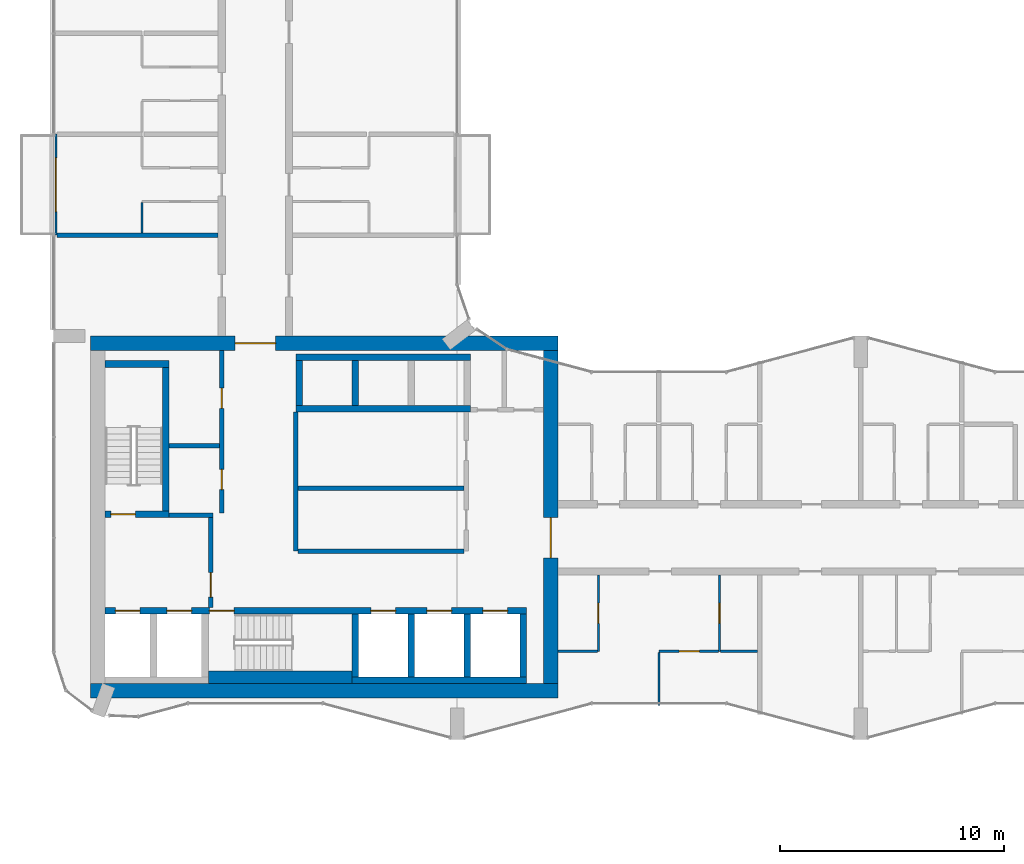
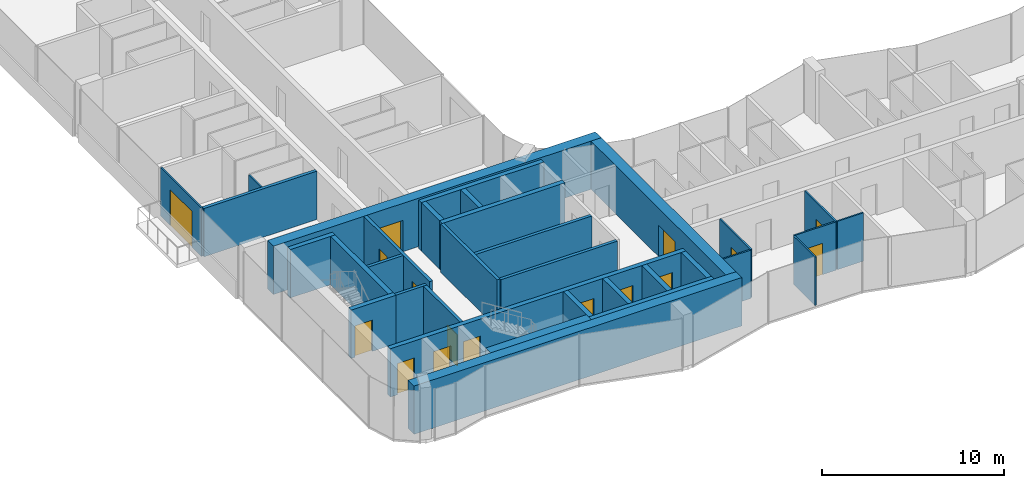
# One storey, part 13 of 22: 33 walls, 16 doors, 16 openings.
"""IFC4 building model written with IfcOpenShell, lengths in metres."""

from ifc_helpers import new_model, si_unit, direction, frame, frame_2d, origin, place, context, subcontext, project, spatial, rectangle, extrude, material, layer, layer_set, type_object, element, fill, save


model = new_model("IFC4")

# Units and contexts
model_context = context("Model", 3, precision=1e-05, world=origin(), true_north=direction((0.0, 1.0)))
body_context = subcontext(model_context, "Body", "Model", "MODEL_VIEW")
ifc_project = project(units=[si_unit("LENGTHUNIT", "METRE"), si_unit("AREAUNIT", "SQUARE_METRE"), si_unit("VOLUMEUNIT", "CUBIC_METRE"), si_unit("PLANEANGLEUNIT", "RADIAN"), si_unit("MASSUNIT", "GRAM", prefix="KILO")], contexts=[model_context])

# Site, building, storey
site_placement = place(None, origin())
site = spatial("IfcSite", under=ifc_project, at=site_placement, CompositionType="ELEMENT")
building_placement = place(site_placement, origin())
building = spatial("IfcBuilding", under=site, at=building_placement, Name="Plateau Cross Towers", CompositionType="ELEMENT")
storey_placement = place(building_placement, frame((0.0, 0.0, 99.300048828125)))
storey = spatial("IfcBuildingStorey", under=building, at=storey_placement, Name="L25", CompositionType="ELEMENT", Elevation=99.300048828125)

# Wall, opening, door
ifc_material_1 = material(Name="Aluminium framed glazing", Category="aluminium")
ifc_layer_1 = layer(ifc_material_1, 0.10009765625)
ifc_layer_set_1 = layer_set([ifc_layer_1], Name="Aluminium framed glazing")
wall_type_1 = type_object("IfcWallType", Name="Balcony screen wall 100", PredefinedType="STANDARD", material=ifc_layer_set_1)
wall_1_placement = place(storey_placement, frame((0.10009765625, 22.5, 0.0), z_axis=(0.0, 0.0, 1.0), x_axis=(0.0, 1.0, 0.0)))
wall_1 = element("IfcWall", 1, at=wall_1_placement, inside=storey, type_object=wall_type_1, Name="Balcony screen wall A-BAL-L25-01", PredefinedType="STANDARD", context=body_context, shape_type="SweptSolid", body=[
    extrude(rectangle(XDim=4.5, YDim=0.10009765625, at=frame_2d((2.25, 0.0))), origin(), (0.0, 0.0, 1.0), 3.25),
])
opening_1_placement = place(wall_1_placement, frame((1.050048828125, 0.0, 0.0)))
opening_1 = element("IfcOpeningElement", 2, at=opening_1_placement, cuts=wall_1, Name="Opening D-B24", PredefinedType="OPENING", context=body_context, shape_type="SweptSolid", body=[
    extrude(rectangle(XDim=2.39990234375, YDim=2.39990234375, at=frame_2d((1.199951171875, 1.199951171875))), frame((0.0, 0.06005859375, 0.0), z_axis=(0.0, -1.0, 0.0), x_axis=(1.0, 0.0, 0.0)), (0.0, 0.0, 1.0), 0.1201171875),
])
ifc_material_2 = material(Name="Aluminium frame, double glazing", Category="aluminium")
door_type_1 = type_object("IfcDoorType", Name="Balcony sliding door 2400", OperationType="NOTDEFINED", PredefinedType="DOOR", material=ifc_material_2)
door_1_placement = place(opening_1_placement, origin())
door_1 = element("IfcDoor", 3, at=door_1_placement, inside=storey, type_object=door_type_1, Name="Balcony door A-BAL-L25-01", OperationType="SINGLE_SWING_LEFT", OverallHeight=2.39990234375, OverallWidth=2.39990234375, PredefinedType="DOOR", context=body_context, shape_type="SweptSolid", body=[
    extrude(rectangle(XDim=2.39990234375, YDim=2.39990234375, at=frame_2d((1.199951171875, 1.199951171875))), frame((0.0, 0.02490234375, 0.0), z_axis=(0.0, -1.0, 0.0), x_axis=(1.0, 0.0, 0.0)), (0.0, 0.0, 1.0), 0.050048828125),
])
fill(opening_1, door_1)

ifc_material_3 = material(Name="Concrete block, plastered both sides", Category="concrete")
ifc_layer_2 = layer(ifc_material_3, 0.199951171875)
ifc_layer_set_2 = layer_set([ifc_layer_2], Name="Concrete block, plastered both sides")
wall_type_2 = type_object("IfcWallType", Name="Core partition 200", PredefinedType="PARTITIONING", material=ifc_layer_set_2)
wall_2_placement = place(storey_placement, frame((7.0, 5.89990234375, 0.0), z_axis=(0.0, 0.0, 1.0), x_axis=(0.0, 1.0, 0.0)))
wall_2 = element("IfcWall", 4, at=wall_2_placement, inside=storey, type_object=wall_type_2, Name="Core partition", PredefinedType="PARTITIONING", context=body_context, shape_type="SweptSolid", body=[
    extrude(rectangle(XDim=4.0, YDim=0.199951171875, at=frame_2d((2.0, 0.0))), origin(), (0.0, 0.0, 1.0), 3.25),
])
opening_2_placement = place(wall_2_placement, frame((0.449951171875, 0.0, 0.0)))
opening_2 = element("IfcOpeningElement", 5, at=opening_2_placement, cuts=wall_2, Name="Opening FFD", PredefinedType="OPENING", context=body_context, shape_type="SweptSolid", body=[
    extrude(rectangle(XDim=1.10009765625, YDim=2.10009765625, at=frame_2d((0.550048828125, 1.050048828125))), frame((0.0, 0.10986328125, 0.0), z_axis=(0.0, -1.0, 0.0), x_axis=(1.0, 0.0, 0.0)), (0.0, 0.0, 1.0), 0.219970703125),
])
ifc_material_4 = material(Name="Steel, fire-resisting leaf", Category="steel")
door_type_2 = type_object("IfcDoorType", Name="Firefighting lobby door 1100", OperationType="NOTDEFINED", PredefinedType="DOOR", material=ifc_material_4)
door_2_placement = place(opening_2_placement, origin())
door_2 = element("IfcDoor", 6, at=door_2_placement, inside=storey, type_object=door_type_2, Name="Firefighting lobby door FFD", OperationType="SINGLE_SWING_LEFT", OverallHeight=2.10009765625, OverallWidth=1.10009765625, PredefinedType="DOOR", context=body_context, shape_type="SweptSolid", body=[
    extrude(rectangle(XDim=1.10009765625, YDim=2.10009765625, at=frame_2d((0.550048828125, 1.050048828125))), frame((0.0, 0.02490234375, 0.0), z_axis=(0.0, -1.0, 0.0), x_axis=(1.0, 0.0, 0.0)), (0.0, 0.0, 1.0), 0.050048828125),
])
fill(opening_2, door_2)

# Walls
wall_3_placement = place(storey_placement, frame((5.14990234375, 10.0, 0.0), z_axis=(0.0, 0.0, 1.0), x_axis=(1.0, 0.0, 0.0)))
element("IfcWall", 7, at=wall_3_placement, inside=storey, type_object=wall_type_2, Name="Core partition", PredefinedType="PARTITIONING", context=body_context, shape_type="SweptSolid", body=[
    extrude(rectangle(XDim=1.9501953125, YDim=0.199951171875, at=frame_2d((0.97509765625, 0.0))), origin(), (0.0, 0.0, 1.0), 3.25),
])
wall_4_placement = place(storey_placement, frame((10.800048828125, 8.39990234375, 0.0), z_axis=(0.0, 0.0, 1.0), x_axis=(0.0, 1.0, 0.0)))
element("IfcWall", 8, at=wall_4_placement, inside=storey, type_object=wall_type_2, Name="Core partition", PredefinedType="PARTITIONING", context=body_context, shape_type="SweptSolid", body=[
    extrude(rectangle(XDim=6.2001953125, YDim=0.199951171875, at=frame_2d((3.10009765625, 0.0))), origin(), (0.0, 0.0, 1.0), 3.25),
])
for number, where, z_axis, x_axis, name in (
    (9, (10.89990234375, 8.39990234375, 0.0), (0.0, 0.0, 1.0), (1.0, 0.0, 0.0), "Core partition"),
    (10, (10.89990234375, 11.199951171875, 0.0), (0.0, 0.0, 1.0), (1.0, 0.0, 0.0), "Core partition"),
):
    element("IfcWall", number, at=place(storey_placement, frame(where, z_axis=z_axis, x_axis=x_axis)), inside=storey, type_object=wall_type_2, Name=name, PredefinedType="PARTITIONING", context=body_context, shape_type="SweptSolid", body=[
        extrude(rectangle(XDim=7.400146484375, YDim=0.199951171875, at=frame_2d((3.7001953125, 0.0))), origin(), (0.0, 0.0, 1.0), 3.25),
    ])

# Wall, openings, doors
wall_5_placement = place(storey_placement, frame((7.5, 10.10009765625, 0.0), z_axis=(0.0, 0.0, 1.0), x_axis=(0.0, 1.0, 0.0)))
wall_5 = element("IfcWall", 11, at=wall_5_placement, inside=storey, type_object=wall_type_2, Name="Core partition", PredefinedType="PARTITIONING", context=body_context, shape_type="SweptSolid", body=[
    extrude(rectangle(XDim=7.25, YDim=0.199951171875, at=frame_2d((3.625, 0.0))), origin(), (0.0, 0.0, 1.0), 3.25),
])
opening_3_placement = place(wall_5_placement, frame((1.050048828125, 0.0, 0.0)))
opening_3 = element("IfcOpeningElement", 12, at=opening_3_placement, cuts=wall_5, Name="Opening RD1", PredefinedType="OPENING", context=body_context, shape_type="SweptSolid", body=[
    extrude(rectangle(XDim=0.89990234375, YDim=2.10009765625, at=frame_2d((0.449951171875, 1.050048828125))), frame((0.0, 0.10986328125, 0.0), z_axis=(0.0, -1.0, 0.0), x_axis=(1.0, 0.0, 0.0)), (0.0, 0.0, 1.0), 0.219970703125),
])
opening_4_placement = place(wall_5_placement, frame((4.675048828125, 0.0, 0.0)))
opening_4 = element("IfcOpeningElement", 13, at=opening_4_placement, cuts=wall_5, Name="Opening RD1", PredefinedType="OPENING", context=body_context, shape_type="SweptSolid", body=[
    extrude(rectangle(XDim=0.89990234375, YDim=2.10009765625, at=frame_2d((0.449951171875, 1.050048828125))), frame((0.0, 0.10986328125, 0.0), z_axis=(0.0, -1.0, 0.0), x_axis=(1.0, 0.0, 0.0)), (0.0, 0.0, 1.0), 0.219970703125),
])
ifc_material_5 = material(Name="Timber, fire-resisting leaf", Category="wood")
door_type_3 = type_object("IfcDoorType", Name="Core service door 900", OperationType="NOTDEFINED", PredefinedType="DOOR", material=ifc_material_5)
door_3_placement = place(opening_3_placement, origin())
door_3 = element("IfcDoor", 14, at=door_3_placement, inside=storey, type_object=door_type_3, Name="Core service door RD1", OperationType="SINGLE_SWING_RIGHT", OverallHeight=2.10009765625, OverallWidth=0.89990234375, PredefinedType="DOOR", context=body_context, shape_type="SweptSolid", body=[
    extrude(rectangle(XDim=0.89990234375, YDim=2.10009765625, at=frame_2d((0.449951171875, 1.050048828125))), frame((0.0, 0.02490234375, 0.0), z_axis=(0.0, -1.0, 0.0), x_axis=(1.0, 0.0, 0.0)), (0.0, 0.0, 1.0), 0.050048828125),
])
fill(opening_3, door_3)
door_4_placement = place(opening_4_placement, origin())
door_4 = element("IfcDoor", 15, at=door_4_placement, inside=storey, type_object=door_type_3, Name="Core service door RD1", OperationType="SINGLE_SWING_RIGHT", OverallHeight=2.10009765625, OverallWidth=0.89990234375, PredefinedType="DOOR", context=body_context, shape_type="SweptSolid", body=[
    extrude(rectangle(XDim=0.89990234375, YDim=2.10009765625, at=frame_2d((0.449951171875, 1.050048828125))), frame((0.0, 0.02490234375, 0.0), z_axis=(0.0, -1.0, 0.0), x_axis=(1.0, 0.0, 0.0)), (0.0, 0.0, 1.0), 0.050048828125),
])
fill(opening_4, door_4)

# Walls
wall_6_placement = place(storey_placement, frame((5.14990234375, 13.10009765625, 0.0), z_axis=(0.0, 0.0, 1.0), x_axis=(1.0, 0.0, 0.0)))
element("IfcWall", 16, at=wall_6_placement, inside=storey, type_object=wall_type_2, Name="Core partition", PredefinedType="PARTITIONING", context=body_context, shape_type="SweptSolid", body=[
    extrude(rectangle(XDim=2.25, YDim=0.199951171875, at=frame_2d((1.125, 0.0))), origin(), (0.0, 0.0, 1.0), 3.25),
])
ifc_material_6 = material(Name="Concrete C60/75", Category="concrete")
ifc_layer_3 = layer(ifc_material_6, 0.300048828125)
ifc_layer_set_3 = layer_set([ifc_layer_3], Name="Concrete C60/75")
wall_type_3 = type_object("IfcWallType", Name="Core shaft wall 300", PredefinedType="SHEAR", material=ifc_layer_set_3)
wall_7_placement = place(storey_placement, frame((13.300048828125, 2.64990234375, 0.0), z_axis=(0.0, 0.0, 1.0), x_axis=(1.0, 0.0, 0.0)))
element("IfcWall", 17, at=wall_7_placement, inside=storey, type_object=wall_type_3, Name="A-sb-back3@L25", PredefinedType="SHEAR", context=body_context, shape_type="SweptSolid", body=[
    extrude(rectangle(XDim=7.800048828125, YDim=0.300048828125, at=frame_2d((3.89990234375, 0.0))), origin(), (0.0, 0.0, 1.0), 3.25),
])
for number, where, z_axis, x_axis, name in (
    (18, (13.449951171875, 2.800048828125, 0.0), (0.0, 0.0, 1.0), (0.0, 1.0, 0.0), "A-sb-v3@L25"),
    (19, (15.949951171875, 2.800048828125, 0.0), (0.0, 0.0, 1.0), (0.0, 1.0, 0.0), "A-sb-v4@L25"),
    (20, (18.449951171875, 2.800048828125, 0.0), (0.0, 0.0, 1.0), (0.0, 1.0, 0.0), "A-sb-v5@L25"),
    (21, (20.949951171875, 2.800048828125, 0.0), (0.0, 0.0, 1.0), (0.0, 1.0, 0.0), "A-sb-v6@L25"),
):
    element("IfcWall", number, at=place(storey_placement, frame(where, z_axis=z_axis, x_axis=x_axis)), inside=storey, type_object=wall_type_3, Name=name, PredefinedType="SHEAR", context=body_context, shape_type="SweptSolid", body=[
        extrude(rectangle(XDim=2.800048828125, YDim=0.300048828125, at=frame_2d((1.39990234375, 0.0))), origin(), (0.0, 0.0, 1.0), 3.25),
    ])

# Wall, openings, doors
wall_8_placement = place(storey_placement, frame((2.300048828125, 5.75, 0.0), z_axis=(0.0, 0.0, 1.0), x_axis=(1.0, 0.0, 0.0)))
wall_8 = element("IfcWall", 22, at=wall_8_placement, inside=storey, type_object=wall_type_3, Name="A-sb-front@L25", PredefinedType="SHEAR", context=body_context, shape_type="SweptSolid", body=[
    extrude(rectangle(XDim=18.800048828125, YDim=0.300048828125, at=frame_2d((9.39990234375, 0.0))), origin(), (0.0, 0.0, 1.0), 3.25),
])
opening_5_placement = place(wall_8_placement, frame((4.64990234375, 0.0, 0.0)))
opening_5 = element("IfcOpeningElement", 23, at=opening_5_placement, cuts=wall_8, Name="Opening SD", PredefinedType="OPENING", context=body_context, shape_type="SweptSolid", body=[
    extrude(rectangle(XDim=1.10009765625, YDim=2.10009765625, at=frame_2d((0.550048828125, 1.050048828125))), frame((0.0, 0.159912109375, 0.0), z_axis=(0.0, -1.0, 0.0), x_axis=(1.0, 0.0, 0.0)), (0.0, 0.0, 1.0), 0.320068359375),
])
opening_6_placement = place(wall_8_placement, frame((0.449951171875, 0.0, 0.0)))
opening_6 = element("IfcOpeningElement", 24, at=opening_6_placement, cuts=wall_8, Name="Opening LD", PredefinedType="OPENING", context=body_context, shape_type="SweptSolid", body=[
    extrude(rectangle(XDim=1.10009765625, YDim=2.10009765625, at=frame_2d((0.550048828125, 1.050048828125))), frame((0.0, 0.159912109375, 0.0), z_axis=(0.0, -1.0, 0.0), x_axis=(1.0, 0.0, 0.0)), (0.0, 0.0, 1.0), 0.320068359375),
])
opening_7_placement = place(wall_8_placement, frame((2.75, 0.0, 0.0)))
opening_7 = element("IfcOpeningElement", 25, at=opening_7_placement, cuts=wall_8, Name="Opening LD", PredefinedType="OPENING", context=body_context, shape_type="SweptSolid", body=[
    extrude(rectangle(XDim=1.10009765625, YDim=2.10009765625, at=frame_2d((0.550048828125, 1.050048828125))), frame((0.0, 0.159912109375, 0.0), z_axis=(0.0, -1.0, 0.0), x_axis=(1.0, 0.0, 0.0)), (0.0, 0.0, 1.0), 0.320068359375),
])
opening_8_placement = place(wall_8_placement, frame((11.85009765625, 0.0, 0.0)))
opening_8 = element("IfcOpeningElement", 26, at=opening_8_placement, cuts=wall_8, Name="Opening LD", PredefinedType="OPENING", context=body_context, shape_type="SweptSolid", body=[
    extrude(rectangle(XDim=1.10009765625, YDim=2.10009765625, at=frame_2d((0.550048828125, 1.050048828125))), frame((0.0, 0.159912109375, 0.0), z_axis=(0.0, -1.0, 0.0), x_axis=(1.0, 0.0, 0.0)), (0.0, 0.0, 1.0), 0.320068359375),
])
opening_9_placement = place(wall_8_placement, frame((14.35009765625, 0.0, 0.0)))
opening_9 = element("IfcOpeningElement", 27, at=opening_9_placement, cuts=wall_8, Name="Opening LD", PredefinedType="OPENING", context=body_context, shape_type="SweptSolid", body=[
    extrude(rectangle(XDim=1.10009765625, YDim=2.10009765625, at=frame_2d((0.550048828125, 1.050048828125))), frame((0.0, 0.159912109375, 0.0), z_axis=(0.0, -1.0, 0.0), x_axis=(1.0, 0.0, 0.0)), (0.0, 0.0, 1.0), 0.320068359375),
])
opening_10_placement = place(wall_8_placement, frame((16.85009765625, 0.0, 0.0)))
opening_10 = element("IfcOpeningElement", 28, at=opening_10_placement, cuts=wall_8, Name="Opening LD", PredefinedType="OPENING", context=body_context, shape_type="SweptSolid", body=[
    extrude(rectangle(XDim=1.10009765625, YDim=2.10009765625, at=frame_2d((0.550048828125, 1.050048828125))), frame((0.0, 0.159912109375, 0.0), z_axis=(0.0, -1.0, 0.0), x_axis=(1.0, 0.0, 0.0)), (0.0, 0.0, 1.0), 0.320068359375),
])
ifc_material_7 = material(Name="Stainless steel, fire-resisting sliding leaves", Category="steel")
door_type_4 = type_object("IfcDoorType", Name="Lift landing door 1100", OperationType="NOTDEFINED", PredefinedType="DOOR", material=ifc_material_7)
door_5_placement = place(opening_6_placement, origin())
door_5 = element("IfcDoor", 29, at=door_5_placement, inside=storey, type_object=door_type_4, Name="Lift landing door LD", OperationType="DOUBLE_DOOR_SLIDING", OverallHeight=2.10009765625, OverallWidth=1.10009765625, PredefinedType="DOOR", context=body_context, shape_type="SweptSolid", body=[
    extrude(rectangle(XDim=1.10009765625, YDim=2.10009765625, at=frame_2d((0.550048828125, 1.050048828125))), frame((0.0, 0.02490234375, 0.0), z_axis=(0.0, -1.0, 0.0), x_axis=(1.0, 0.0, 0.0)), (0.0, 0.0, 1.0), 0.050048828125),
])
fill(opening_6, door_5)
door_6_placement = place(opening_7_placement, origin())
door_6 = element("IfcDoor", 30, at=door_6_placement, inside=storey, type_object=door_type_4, Name="Lift landing door LD", OperationType="DOUBLE_DOOR_SLIDING", OverallHeight=2.10009765625, OverallWidth=1.10009765625, PredefinedType="DOOR", context=body_context, shape_type="SweptSolid", body=[
    extrude(rectangle(XDim=1.10009765625, YDim=2.10009765625, at=frame_2d((0.550048828125, 1.050048828125))), frame((0.0, 0.02490234375, 0.0), z_axis=(0.0, -1.0, 0.0), x_axis=(1.0, 0.0, 0.0)), (0.0, 0.0, 1.0), 0.050048828125),
])
fill(opening_7, door_6)
door_7_placement = place(opening_8_placement, origin())
door_7 = element("IfcDoor", 31, at=door_7_placement, inside=storey, type_object=door_type_4, Name="Lift landing door LD", OperationType="DOUBLE_DOOR_SLIDING", OverallHeight=2.10009765625, OverallWidth=1.10009765625, PredefinedType="DOOR", context=body_context, shape_type="SweptSolid", body=[
    extrude(rectangle(XDim=1.10009765625, YDim=2.10009765625, at=frame_2d((0.550048828125, 1.050048828125))), frame((0.0, 0.02490234375, 0.0), z_axis=(0.0, -1.0, 0.0), x_axis=(1.0, 0.0, 0.0)), (0.0, 0.0, 1.0), 0.050048828125),
])
fill(opening_8, door_7)
door_8_placement = place(opening_9_placement, origin())
door_8 = element("IfcDoor", 32, at=door_8_placement, inside=storey, type_object=door_type_4, Name="Lift landing door LD", OperationType="DOUBLE_DOOR_SLIDING", OverallHeight=2.10009765625, OverallWidth=1.10009765625, PredefinedType="DOOR", context=body_context, shape_type="SweptSolid", body=[
    extrude(rectangle(XDim=1.10009765625, YDim=2.10009765625, at=frame_2d((0.550048828125, 1.050048828125))), frame((0.0, 0.02490234375, 0.0), z_axis=(0.0, -1.0, 0.0), x_axis=(1.0, 0.0, 0.0)), (0.0, 0.0, 1.0), 0.050048828125),
])
fill(opening_9, door_8)
door_9_placement = place(opening_10_placement, origin())
door_9 = element("IfcDoor", 33, at=door_9_placement, inside=storey, type_object=door_type_4, Name="Lift landing door LD", OperationType="DOUBLE_DOOR_SLIDING", OverallHeight=2.10009765625, OverallWidth=1.10009765625, PredefinedType="DOOR", context=body_context, shape_type="SweptSolid", body=[
    extrude(rectangle(XDim=1.10009765625, YDim=2.10009765625, at=frame_2d((0.550048828125, 1.050048828125))), frame((0.0, 0.02490234375, 0.0), z_axis=(0.0, -1.0, 0.0), x_axis=(1.0, 0.0, 0.0)), (0.0, 0.0, 1.0), 0.050048828125),
])
fill(opening_10, door_9)
door_type_5 = type_object("IfcDoorType", Name="Stair door 1100", OperationType="NOTDEFINED", PredefinedType="DOOR", material=ifc_material_4)
door_10_placement = place(opening_5_placement, origin())
door_10 = element("IfcDoor", 34, at=door_10_placement, inside=storey, type_object=door_type_5, Name="Stair door SD", OperationType="SINGLE_SWING_LEFT", OverallHeight=2.10009765625, OverallWidth=1.10009765625, PredefinedType="DOOR", context=body_context, shape_type="SweptSolid", body=[
    extrude(rectangle(XDim=1.10009765625, YDim=2.10009765625, at=frame_2d((0.550048828125, 1.050048828125))), frame((0.0, 0.02490234375, 0.0), z_axis=(0.0, -1.0, 0.0), x_axis=(1.0, 0.0, 0.0)), (0.0, 0.0, 1.0), 0.050048828125),
])
fill(opening_5, door_10)

# Wall, opening, door
wall_9_placement = place(storey_placement, frame((2.300048828125, 10.050048828125, 0.0), z_axis=(0.0, 0.0, 1.0), x_axis=(1.0, 0.0, 0.0)))
wall_9 = element("IfcWall", 35, at=wall_9_placement, inside=storey, type_object=wall_type_3, Name="A-st1-S@L25", PredefinedType="SHEAR", context=body_context, shape_type="SweptSolid", body=[
    extrude(rectangle(XDim=2.849853515625, YDim=0.300048828125, at=frame_2d((1.4248046875, 0.0))), origin(), (0.0, 0.0, 1.0), 3.25),
])
opening_11_placement = place(wall_9_placement, frame((0.25, 0.0, 0.0)))
opening_11 = element("IfcOpeningElement", 36, at=opening_11_placement, cuts=wall_9, Name="Opening SD", PredefinedType="OPENING", context=body_context, shape_type="SweptSolid", body=[
    extrude(rectangle(XDim=1.10009765625, YDim=2.10009765625, at=frame_2d((0.550048828125, 1.050048828125))), frame((0.0, 0.159912109375, 0.0), z_axis=(0.0, -1.0, 0.0), x_axis=(1.0, 0.0, 0.0)), (0.0, 0.0, 1.0), 0.320068359375),
])
door_11_placement = place(opening_11_placement, origin())
door_11 = element("IfcDoor", 37, at=door_11_placement, inside=storey, type_object=door_type_5, Name="Stair door SD", OperationType="SINGLE_SWING_RIGHT", OverallHeight=2.10009765625, OverallWidth=1.10009765625, PredefinedType="DOOR", context=body_context, shape_type="SweptSolid", body=[
    extrude(rectangle(XDim=1.10009765625, YDim=2.10009765625, at=frame_2d((0.550048828125, 1.050048828125))), frame((0.0, 0.02490234375, 0.0), z_axis=(0.0, -1.0, 0.0), x_axis=(1.0, 0.0, 0.0)), (0.0, 0.0, 1.0), 0.050048828125),
])
fill(opening_11, door_11)

# Walls
wall_10_placement = place(storey_placement, frame((5.0, 10.199951171875, 0.0), z_axis=(0.0, 0.0, 1.0), x_axis=(0.0, 1.0, 0.0)))
element("IfcWall", 38, at=wall_10_placement, inside=storey, type_object=wall_type_3, Name="A-st1-E@L25", PredefinedType="SHEAR", context=body_context, shape_type="SweptSolid", body=[
    extrude(rectangle(XDim=6.400146484375, YDim=0.300048828125, at=frame_2d((3.2001953125, 0.0))), origin(), (0.0, 0.0, 1.0), 3.25),
])
wall_11_placement = place(storey_placement, frame((2.300048828125, 16.75, 0.0), z_axis=(0.0, 0.0, 1.0), x_axis=(1.0, 0.0, 0.0)))
element("IfcWall", 39, at=wall_11_placement, inside=storey, type_object=wall_type_3, Name="A-st1-N@L25", PredefinedType="SHEAR", context=body_context, shape_type="SweptSolid", body=[
    extrude(rectangle(XDim=2.849853515625, YDim=0.300048828125, at=frame_2d((1.4248046875, 0.0))), origin(), (0.0, 0.0, 1.0), 3.25),
])
for number, where, z_axis, x_axis, name in (
    (40, (10.800048828125, 17.050048828125, 0.0), (0.0, 0.0, 1.0), (1.0, 0.0, 0.0), "A-nb-back@L25"),
    (41, (10.800048828125, 14.75, 0.0), (0.0, 0.0, 1.0), (1.0, 0.0, 0.0), "A-nb-front@L25"),
):
    element("IfcWall", number, at=place(storey_placement, frame(where, z_axis=z_axis, x_axis=x_axis)), inside=storey, type_object=wall_type_3, Name=name, PredefinedType="SHEAR", context=body_context, shape_type="SweptSolid", body=[
        extrude(rectangle(XDim=7.800048828125, YDim=0.300048828125, at=frame_2d((3.89990234375, 0.0))), origin(), (0.0, 0.0, 1.0), 3.25),
    ])
for number, where, z_axis, x_axis, name in (
    (42, (10.949951171875, 14.89990234375, 0.0), (0.0, 0.0, 1.0), (0.0, 1.0, 0.0), "A-nb-v1@L25"),
    (43, (13.449951171875, 14.89990234375, 0.0), (0.0, 0.0, 1.0), (0.0, 1.0, 0.0), "A-nb-v2@L25"),
):
    element("IfcWall", number, at=place(storey_placement, frame(where, z_axis=z_axis, x_axis=x_axis)), inside=storey, type_object=wall_type_3, Name=name, PredefinedType="SHEAR", context=body_context, shape_type="SweptSolid", body=[
        extrude(rectangle(XDim=2.0, YDim=0.300048828125, at=frame_2d((1.0, 0.0))), origin(), (0.0, 0.0, 1.0), 3.25),
    ])
ifc_layer_4 = layer(ifc_material_6, 0.550048828125)
ifc_layer_set_4 = layer_set([ifc_layer_4], Name="Concrete C60/75")
wall_type_4 = type_object("IfcWallType", Name="Core shaft wall 550", PredefinedType="SHEAR", material=ifc_layer_set_4)
wall_12_placement = place(storey_placement, frame((6.89990234375, 2.77490234375, 0.0), z_axis=(0.0, 0.0, 1.0), x_axis=(1.0, 0.0, 0.0)))
element("IfcWall", 44, at=wall_12_placement, inside=storey, type_object=wall_type_4, Name="A-sb-back2@L25", PredefinedType="SHEAR", context=body_context, shape_type="SweptSolid", body=[
    extrude(rectangle(XDim=6.400146484375, YDim=0.550048828125, at=frame_2d((3.2001953125, 0.0))), origin(), (0.0, 0.0, 1.0), 3.25),
])
ifc_layer_5 = layer(ifc_material_6, 0.64990234375)
ifc_layer_set_5 = layer_set([ifc_layer_5], Name="Concrete C60/75")
wall_type_5 = type_object("IfcWallType", Name="Core shell wall 650", PredefinedType="SHEAR", material=ifc_layer_set_5)
wall_13_placement = place(storey_placement, frame((1.64990234375, 2.175048828125, 0.0), z_axis=(0.0, 0.0, 1.0), x_axis=(1.0, 0.0, 0.0)))
element("IfcWall", 45, at=wall_13_placement, inside=storey, type_object=wall_type_5, Name="A-core-S@L25", PredefinedType="SHEAR", context=body_context, shape_type="SweptSolid", body=[
    extrude(rectangle(XDim=20.85009765625, YDim=0.64990234375, at=frame_2d((10.425048828125, 0.0))), origin(), (0.0, 0.0, 1.0), 3.25),
])

# Wall, opening, door
wall_14_placement = place(storey_placement, frame((1.64990234375, 17.675048828125, 0.0), z_axis=(0.0, 0.0, 1.0), x_axis=(1.0, 0.0, 0.0)))
wall_14 = element("IfcWall", 46, at=wall_14_placement, inside=storey, type_object=wall_type_5, Name="A-core-N@L25", PredefinedType="SHEAR", context=body_context, shape_type="SweptSolid", body=[
    extrude(rectangle(XDim=20.85009765625, YDim=0.64990234375, at=frame_2d((10.425048828125, 0.0))), origin(), (0.0, 0.0, 1.0), 3.25),
])
opening_12_placement = place(wall_14_placement, frame((6.449951171875, 0.0, 0.0)))
opening_12 = element("IfcOpeningElement", 47, at=opening_12_placement, cuts=wall_14, Name="Opening CD", PredefinedType="OPENING", context=body_context, shape_type="SweptSolid", body=[
    extrude(rectangle(XDim=1.800048828125, YDim=2.10009765625, at=frame_2d((0.89990234375, 1.050048828125))), frame((0.0, 0.3349609375, 0.0), z_axis=(0.0, -1.0, 0.0), x_axis=(1.0, 0.0, 0.0)), (0.0, 0.0, 1.0), 0.669921875),
])
ifc_material_8 = material(Name="Steel, fire-resisting leaves", Category="steel")
door_type_6 = type_object("IfcDoorType", Name="Corridor door pair 1800", OperationType="NOTDEFINED", PredefinedType="DOOR", material=ifc_material_8)
door_12_placement = place(opening_12_placement, origin())
door_12 = element("IfcDoor", 48, at=door_12_placement, inside=storey, type_object=door_type_6, Name="Corridor door pair CD", OperationType="DOUBLE_DOOR_SINGLE_SWING", OverallHeight=2.10009765625, OverallWidth=1.800048828125, PredefinedType="DOOR", context=body_context, shape_type="SweptSolid", body=[
    extrude(rectangle(XDim=1.800048828125, YDim=2.10009765625, at=frame_2d((0.89990234375, 1.050048828125))), frame((0.0, 0.02490234375, 0.0), z_axis=(0.0, -1.0, 0.0), x_axis=(1.0, 0.0, 0.0)), (0.0, 0.0, 1.0), 0.050048828125),
])
fill(opening_12, door_12)

wall_15_placement = place(storey_placement, frame((22.175048828125, 2.5, 0.0), z_axis=(0.0, 0.0, 1.0), x_axis=(0.0, 1.0, 0.0)))
wall_15 = element("IfcWall", 49, at=wall_15_placement, inside=storey, type_object=wall_type_5, Name="A-core-E@L25", PredefinedType="SHEAR", context=body_context, shape_type="SweptSolid", body=[
    extrude(rectangle(XDim=14.85009765625, YDim=0.64990234375, at=frame_2d((7.425048828125, 0.0))), origin(), (0.0, 0.0, 1.0), 3.25),
])
opening_13_placement = place(wall_15_placement, frame((5.60009765625, 0.0, 0.0)))
opening_13 = element("IfcOpeningElement", 50, at=opening_13_placement, cuts=wall_15, Name="Opening CD", PredefinedType="OPENING", context=body_context, shape_type="SweptSolid", body=[
    extrude(rectangle(XDim=1.800048828125, YDim=2.10009765625, at=frame_2d((0.89990234375, 1.050048828125))), frame((0.0, 0.3349609375, 0.0), z_axis=(0.0, -1.0, 0.0), x_axis=(1.0, 0.0, 0.0)), (0.0, 0.0, 1.0), 0.669921875),
])
door_13_placement = place(opening_13_placement, origin())
door_13 = element("IfcDoor", 51, at=door_13_placement, inside=storey, type_object=door_type_6, Name="Corridor door pair CD", OperationType="DOUBLE_DOOR_SINGLE_SWING", OverallHeight=2.10009765625, OverallWidth=1.800048828125, PredefinedType="DOOR", context=body_context, shape_type="SweptSolid", body=[
    extrude(rectangle(XDim=1.800048828125, YDim=2.10009765625, at=frame_2d((0.89990234375, 1.050048828125))), frame((0.0, 0.02490234375, 0.0), z_axis=(0.0, -1.0, 0.0), x_axis=(1.0, 0.0, 0.0)), (0.0, 0.0, 1.0), 0.050048828125),
])
fill(opening_13, door_13)

ifc_material_9 = material(Name="Gypsum board on steel studs", Category="steel")
ifc_layer_6 = layer(ifc_material_9, 0.10009765625)
ifc_layer_set_6 = layer_set([ifc_layer_6], Name="Gypsum board on steel studs")
wall_type_6 = type_object("IfcWallType", Name="Flat partition 100", PredefinedType="PARTITIONING", material=ifc_layer_set_6)
wall_16_placement = place(storey_placement, frame((29.64990234375, 3.9375, 0.0), z_axis=(0.0, 0.0, 1.0), x_axis=(-1.0, 0.0, 0.0)))
wall_16 = element("IfcWall", 52, at=wall_16_placement, inside=storey, type_object=wall_type_6, Name="Partition wall", PredefinedType="PARTITIONING", context=body_context, shape_type="SweptSolid", body=[
    extrude(rectangle(XDim=2.64990234375, YDim=0.10009765625, at=frame_2d((1.324951171875, 0.0))), origin(), (0.0, 0.0, 1.0), 3.25),
])
opening_14_placement = place(wall_16_placement, frame((0.85009765625, 0.0, 0.0)))
opening_14 = element("IfcOpeningElement", 53, at=opening_14_placement, cuts=wall_16, Name="Opening 25-23", PredefinedType="OPENING", context=body_context, shape_type="SweptSolid", body=[
    extrude(rectangle(XDim=0.89990234375, YDim=2.10009765625, at=frame_2d((0.449951171875, 1.050048828125))), frame((0.0, 0.06005859375, 0.0), z_axis=(0.0, -1.0, 0.0), x_axis=(1.0, 0.0, 0.0)), (0.0, 0.0, 1.0), 0.1201171875),
])
ifc_material_10 = material(Name="Timber leaf", Category="wood")
door_type_7 = type_object("IfcDoorType", Name="Flat room door 900", OperationType="NOTDEFINED", PredefinedType="DOOR", material=ifc_material_10)
door_14_placement = place(opening_14_placement, origin())
door_14 = element("IfcDoor", 54, at=door_14_placement, inside=storey, type_object=door_type_7, Name="Door 25-23", OperationType="SINGLE_SWING_LEFT", OverallHeight=2.10009765625, OverallWidth=0.89990234375, PredefinedType="DOOR", context=body_context, shape_type="SweptSolid", body=[
    extrude(rectangle(XDim=0.89990234375, YDim=2.10009765625, at=frame_2d((0.449951171875, 1.050048828125))), frame((0.0, 0.02490234375, 0.0), z_axis=(0.0, -1.0, 0.0), x_axis=(1.0, 0.0, 0.0)), (0.0, 0.0, 1.0), 0.050048828125),
])
fill(opening_14, door_14)

# Walls
wall_17_placement = place(storey_placement, frame((22.5, 3.9375, 0.0), z_axis=(0.0, 0.0, 1.0), x_axis=(1.0, 0.0, 0.0)))
element("IfcWall", 55, at=wall_17_placement, inside=storey, type_object=wall_type_6, Name="Partition wall", PredefinedType="PARTITIONING", context=body_context, shape_type="SweptSolid", body=[
    extrude(rectangle(XDim=1.75, YDim=0.10009765625, at=frame_2d((0.875, 0.0))), origin(), (0.0, 0.0, 1.0), 3.25),
])
wall_18_placement = place(storey_placement, frame((29.75, 3.9375, 0.0), z_axis=(0.0, 0.0, 1.0), x_axis=(1.0, 0.0, 0.0)))
element("IfcWall", 56, at=wall_18_placement, inside=storey, type_object=wall_type_6, Name="Partition wall", PredefinedType="PARTITIONING", context=body_context, shape_type="SweptSolid", body=[
    extrude(rectangle(XDim=1.64990234375, YDim=0.10009765625, at=frame_2d((0.824951171875, 0.0))), origin(), (0.0, 0.0, 1.0), 3.25),
])
wall_19_placement = place(storey_placement, frame((3.9375, 23.949951171875, 0.0), z_axis=(0.0, 0.0, 1.0), x_axis=(0.0, -1.0, 0.0)))
element("IfcWall", 57, at=wall_19_placement, inside=storey, type_object=wall_type_6, Name="Partition wall", PredefinedType="PARTITIONING", context=body_context, shape_type="SweptSolid", body=[
    extrude(rectangle(XDim=1.349853515625, YDim=0.10009765625, at=frame_2d((0.6748046875, 0.0))), origin(), (0.0, 0.0, 1.0), 3.25),
])

# Wall, opening, door
wall_20_placement = place(storey_placement, frame((24.300048828125, 3.9375, 0.0), z_axis=(0.0, 0.0, 1.0), x_axis=(0.0, 1.0, 0.0)))
wall_20 = element("IfcWall", 58, at=wall_20_placement, inside=storey, type_object=wall_type_6, Name="Partition wall", PredefinedType="PARTITIONING", context=body_context, shape_type="SweptSolid", body=[
    extrude(rectangle(XDim=3.39990234375, YDim=0.10009765625, at=frame_2d((1.699951171875, 0.0))), origin(), (0.0, 0.0, 1.0), 3.25),
])
opening_15_placement = place(wall_20_placement, frame((1.25, 0.0, 0.0)))
opening_15 = element("IfcOpeningElement", 59, at=opening_15_placement, cuts=wall_20, Name="Opening 25-21", PredefinedType="OPENING", context=body_context, shape_type="SweptSolid", body=[
    extrude(rectangle(XDim=0.89990234375, YDim=2.10009765625, at=frame_2d((0.449951171875, 1.050048828125))), frame((0.0, 0.06005859375, 0.0), z_axis=(0.0, -1.0, 0.0), x_axis=(1.0, 0.0, 0.0)), (0.0, 0.0, 1.0), 0.1201171875),
])
door_15_placement = place(opening_15_placement, origin())
door_15 = element("IfcDoor", 60, at=door_15_placement, inside=storey, type_object=door_type_7, Name="Door 25-21", OperationType="SINGLE_SWING_LEFT", OverallHeight=2.10009765625, OverallWidth=0.89990234375, PredefinedType="DOOR", context=body_context, shape_type="SweptSolid", body=[
    extrude(rectangle(XDim=0.89990234375, YDim=2.10009765625, at=frame_2d((0.449951171875, 1.050048828125))), frame((0.0, 0.02490234375, 0.0), z_axis=(0.0, -1.0, 0.0), x_axis=(1.0, 0.0, 0.0)), (0.0, 0.0, 1.0), 0.050048828125),
])
fill(opening_15, door_15)

# Wall
wall_21_placement = place(storey_placement, frame((27.0, 3.887451171875, 0.0), z_axis=(0.0, 0.0, 1.0), x_axis=(0.0, -1.0, 0.0)))
element("IfcWall", 61, at=wall_21_placement, inside=storey, type_object=wall_type_6, Name="Partition wall", PredefinedType="PARTITIONING", context=body_context, shape_type="SweptSolid", body=[
    extrude(rectangle(XDim=2.360595703125, YDim=0.10009765625, at=frame_2d((1.18017578125, 0.0))), origin(), (0.0, 0.0, 1.0), 3.25),
])

# Wall, opening, door
wall_22_placement = place(storey_placement, frame((29.699951171875, 7.33740234375, 0.0), z_axis=(0.0, 0.0, 1.0), x_axis=(0.0, -1.0, 0.0)))
wall_22 = element("IfcWall", 62, at=wall_22_placement, inside=storey, type_object=wall_type_6, Name="Partition wall", PredefinedType="PARTITIONING", context=body_context, shape_type="SweptSolid", body=[
    extrude(rectangle(XDim=3.39990234375, YDim=0.10009765625, at=frame_2d((1.699951171875, 0.0))), origin(), (0.0, 0.0, 1.0), 3.25),
])
opening_16_placement = place(wall_22_placement, frame((1.25, 0.0, 0.0)))
opening_16 = element("IfcOpeningElement", 63, at=opening_16_placement, cuts=wall_22, Name="Opening 25-22", PredefinedType="OPENING", context=body_context, shape_type="SweptSolid", body=[
    extrude(rectangle(XDim=0.89990234375, YDim=2.10009765625, at=frame_2d((0.449951171875, 1.050048828125))), frame((0.0, 0.06005859375, 0.0), z_axis=(0.0, -1.0, 0.0), x_axis=(1.0, 0.0, 0.0)), (0.0, 0.0, 1.0), 0.1201171875),
])
door_16_placement = place(opening_16_placement, origin())
door_16 = element("IfcDoor", 64, at=door_16_placement, inside=storey, type_object=door_type_7, Name="Door 25-22", OperationType="SINGLE_SWING_LEFT", OverallHeight=2.10009765625, OverallWidth=0.89990234375, PredefinedType="DOOR", context=body_context, shape_type="SweptSolid", body=[
    extrude(rectangle(XDim=0.89990234375, YDim=2.10009765625, at=frame_2d((0.449951171875, 1.050048828125))), frame((0.0, 0.02490234375, 0.0), z_axis=(0.0, -1.0, 0.0), x_axis=(1.0, 0.0, 0.0)), (0.0, 0.0, 1.0), 0.050048828125),
])
fill(opening_16, door_16)

# Wall
ifc_material_11 = material(Name="Gypsum board on steel studs, two layers each side", Category="steel")
ifc_layer_7 = layer(ifc_material_11, 0.199951171875)
ifc_layer_set_7 = layer_set([ifc_layer_7], Name="Gypsum board on steel studs, two layers each side")
wall_type_7 = type_object("IfcWallType", Name="Flat party wall 200", PredefinedType="PARTITIONING", material=ifc_layer_set_7)
wall_23_placement = place(storey_placement, frame((7.33740234375, 22.5, 0.0), z_axis=(0.0, 0.0, 1.0), x_axis=(-1.0, 0.0, 0.0)))
element("IfcWall", 65, at=wall_23_placement, inside=storey, type_object=wall_type_7, Name="Party wall", PredefinedType="PARTITIONING", context=body_context, shape_type="SweptSolid", body=[
    extrude(rectangle(XDim=7.1875, YDim=0.199951171875, at=frame_2d((3.59375, 0.0))), origin(), (0.0, 0.0, 1.0), 3.25),
])

save(model, "model.ifc")
